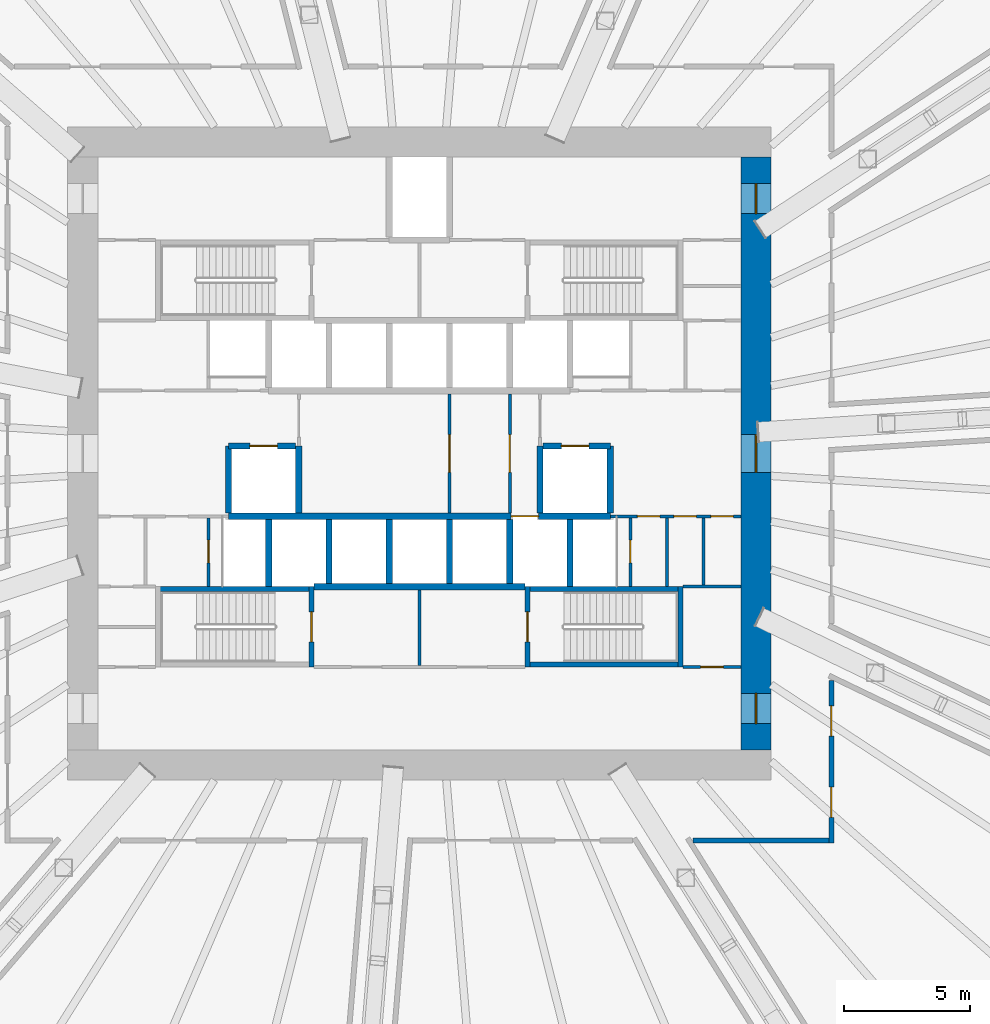
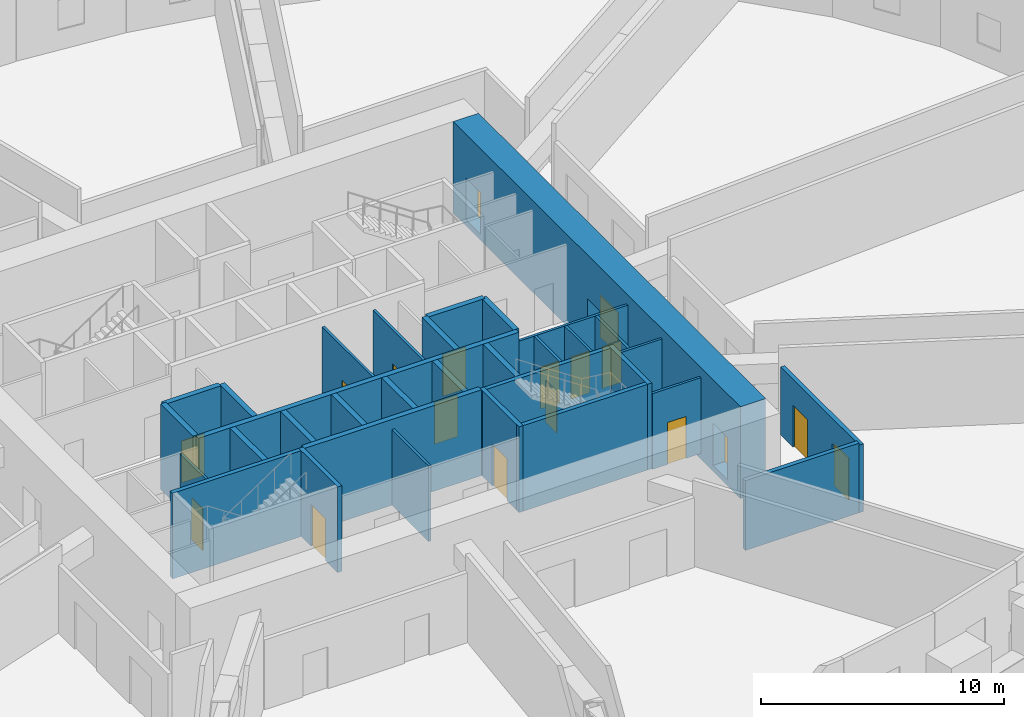
# One storey, part 9 of 14: 33 walls, 18 doors, 18 openings.
"""IFC4 building model written with IfcOpenShell, lengths in metres."""

import ifcopenshell
import ifcopenshell.guid

model = None  # the IFC model being written
_history = None  # IfcOwnerHistory: only IFC2X3 demands one
_inside = {}  # id of a spatial element -> (the spatial element, [elements in it])
_under = {}  # id of a project, library or spatial element -> (it, [spatial elements below it])
_declared = {}  # id of a project -> (the project, [libraries it declares])
_typed = {}  # id of a type object -> (the type object, [elements of that type])
_made_of = {}  # id of a material, layer set ... -> (it, [elements and type objects made of it])


def new_model(schema):
    """Start an empty IFC model of exactly this schema.

    Asked for "IFC4X3", IfcOpenShell would pick the latest addendum, in which some entities
    have other attributes; the version numbers below select the first issue.
    IFC2X3 requires an IfcOwnerHistory on every rooted entity: one is made here for all.
    """
    global model, _history
    if schema == "IFC4X3":
        model = ifcopenshell.file(schema_version=(4, 3, 0, 0))
    else:
        model = ifcopenshell.file(schema=schema)
    _inside.clear()
    _under.clear()
    _declared.clear()
    _typed.clear()
    _made_of.clear()
    _history = None
    if model.schema == "IFC2X3":
        org = make("IfcOrganization", Name="unknown")
        user = make(
            "IfcPersonAndOrganization",
            ThePerson=make("IfcPerson", FamilyName="unknown"),
            TheOrganization=org,
        )
        app = make(
            "IfcApplication",
            ApplicationDeveloper=org,
            Version="unknown",
            ApplicationFullName="unknown",
            ApplicationIdentifier="unknown",
        )
        _history = make(
            "IfcOwnerHistory",
            OwningUser=user,
            OwningApplication=app,
            ChangeAction="ADDED",
            CreationDate=0,
        )
    return model


def make(cls, **values):
    """One entity of the class cls with the attributes given. An attribute that is None is left unset."""
    return model.create_entity(
        cls, **{name: value for name, value in values.items() if value is not None}
    )


def rooted(cls, **values):
    """An entity with a GlobalId (a new one), such as an element, a storey or a relation."""
    return make(cls, GlobalId=ifcopenshell.guid.new(), OwnerHistory=_history, **values)


def si_unit(unit_type, name, prefix=None):
    """IfcSIUnit, for example si_unit("LENGTHUNIT", "METRE", prefix="MILLI")."""
    return make("IfcSIUnit", UnitType=unit_type, Prefix=prefix, Name=name)


def assignment(units):
    """IfcUnitAssignment: the units of a project."""
    return None if units is None else make("IfcUnitAssignment", Units=units)


def point(xyz):
    """IfcCartesianPoint."""
    return None if xyz is None else make("IfcCartesianPoint", Coordinates=xyz)


def direction(xyz):
    """IfcDirection."""
    return None if xyz is None else make("IfcDirection", DirectionRatios=xyz)


def frame(location, z_axis=None, x_axis=None):
    """IfcAxis2Placement3D, a coordinate frame: its origin and axes. An axis left out is left unset."""
    return make(
        "IfcAxis2Placement3D",
        Location=point(location),
        Axis=direction(z_axis),
        RefDirection=direction(x_axis),
    )


def frame_2d(location, x_axis=None):
    """IfcAxis2Placement2D, a coordinate frame in the plane: its origin and x axis."""
    return make(
        "IfcAxis2Placement2D", Location=point(location), RefDirection=direction(x_axis)
    )


def origin():
    """The frame at (0, 0, 0) with its axes left unset."""
    return frame((0.0, 0.0, 0.0))


def place(relative_to, where):
    """IfcLocalPlacement: puts the frame where relative to a parent placement (None: the world)."""
    return make(
        "IfcLocalPlacement", PlacementRelTo=relative_to, RelativePlacement=where
    )


def context(
    kind, dimensions, precision=None, world=None, true_north=None, identifier=None
):
    """IfcGeometricRepresentationContext, for example the 3D "Model" context."""
    return make(
        "IfcGeometricRepresentationContext",
        ContextIdentifier=identifier,
        ContextType=kind,
        CoordinateSpaceDimension=dimensions,
        Precision=precision,
        WorldCoordinateSystem=world,
        TrueNorth=true_north,
    )


def subcontext(parent, identifier, kind, view, scale=None):
    """IfcGeometricRepresentationSubContext, for example "Body" below "Model"."""
    return make(
        "IfcGeometricRepresentationSubContext",
        ContextIdentifier=identifier,
        ContextType=kind,
        ParentContext=parent,
        TargetScale=scale,
        TargetView=view,
    )


def project(units=None, contexts=None):
    """IfcProject with its units and contexts."""
    return rooted(
        "IfcProject",
        Name="project",
        RepresentationContexts=contexts,
        UnitsInContext=assignment(units),
    )


def spatial(cls, under=None, at=None, **own):
    """A site, building, storey or space (cls), placed at a placement, below another one or the project."""
    s = rooted(cls, ObjectPlacement=at, **own)
    if under is not None:
        _under.setdefault(under.id(), (under, []))[1].append(s)
    return s


def profile(cls, at=None, kind="AREA", **sizes):
    """A parametric profile (cls). Its sizes go by their IFC names, for example OverallWidth=200.0."""
    return make(cls, ProfileType=kind, Position=at, **sizes)


def rectangle(**sizes):
    """IfcRectangleProfileDef."""
    return profile("IfcRectangleProfileDef", **sizes)


def extrude(swept, where, along, depth):
    """IfcExtrudedAreaSolid: the profile swept, set in the frame where, extruded along a direction by depth."""
    return make(
        "IfcExtrudedAreaSolid",
        SweptArea=swept,
        Position=where,
        ExtrudedDirection=direction(along),
        Depth=depth,
    )


def shape(context_of_items, identifier, shape_type, items):
    """IfcShapeRepresentation: the items that make up one representation, for example the "Body"."""
    return make(
        "IfcShapeRepresentation",
        ContextOfItems=context_of_items,
        RepresentationIdentifier=identifier,
        RepresentationType=shape_type,
        Items=items,
    )


def source(mapping_origin, context_of_items, identifier, shape_type, items):
    """IfcRepresentationMap: a shape defined once, which mapped items show again and again."""
    return make(
        "IfcRepresentationMap",
        MappingOrigin=mapping_origin,
        MappedRepresentation=shape(context_of_items, identifier, shape_type, items),
    )


def transform(
    local_origin,
    x_axis=None,
    y_axis=None,
    z_axis=None,
    scale=None,
    scale2=None,
    scale3=None,
    uniform=True,
):
    """IfcCartesianTransformationOperator3D, or its non-uniform kind. x_axis, y_axis, z_axis: its Axis1, 2, 3."""
    if uniform:
        return make(
            "IfcCartesianTransformationOperator3D",
            Axis1=direction(x_axis),
            Axis2=direction(y_axis),
            LocalOrigin=point(local_origin),
            Scale=scale,
            Axis3=direction(z_axis),
        )
    return make(
        "IfcCartesianTransformationOperator3DnonUniform",
        Axis1=direction(x_axis),
        Axis2=direction(y_axis),
        LocalOrigin=point(local_origin),
        Scale=scale,
        Axis3=direction(z_axis),
        Scale2=scale2,
        Scale3=scale3,
    )


def mapped(mapping_source, mapping_target):
    """IfcMappedItem: shows the shape of a source again, moved by a transform."""
    return make(
        "IfcMappedItem", MappingSource=mapping_source, MappingTarget=mapping_target
    )


def material(Name=None, Category=None):
    """IfcMaterial."""
    return make("IfcMaterial", Name=Name, Category=Category)


def layer(
    of_material, thickness, ventilated=None, Name=None, Category=None, Priority=None
):
    """IfcMaterialLayer: one layer of a wall or slab, of a material (None: an air gap)."""
    return make(
        "IfcMaterialLayer",
        Material=of_material,
        LayerThickness=thickness,
        IsVentilated=ventilated,
        Name=Name,
        Category=Category,
        Priority=Priority,
    )


def layer_set(layers, Name=None):
    """IfcMaterialLayerSet."""
    return make("IfcMaterialLayerSet", MaterialLayers=layers, LayerSetName=Name)


def made_of(thing, what):
    """Note that an element or type object is made of a material, layer set ...; save() writes the relation."""
    if what is not None:
        _made_of.setdefault(what.id(), (what, []))[1].append(thing)
    return thing


def type_object(cls, material=None, **own):
    """A type object (cls), such as IfcWallType, which elements share."""
    return made_of(rooted(cls, **own), material)


def element(
    cls,
    number,
    at=None,
    inside=None,
    cuts=None,
    type_object=None,
    material=None,
    context=None,
    identifier="Body",
    shape_type=None,
    held_by="IfcProductDefinitionShape",
    body=None,
    shapes=None,
    **own,
):
    """One element of the class cls, such as IfcWall. Its Tag is "e" and its number.

    at: its placement. inside: the storey or other place that contains it. cuts: it is an
    opening in that element (IfcRelVoidsElement). A single representation is given by context,
    identifier, shape_type and body (its items); several are given by shapes. held_by: the class
    of the entity that holds the representations. save() writes the other relations.
    """
    e = rooted(cls, Tag="e%d" % number, ObjectPlacement=at, **own)
    if body is not None:
        shapes = [shape(context, identifier, shape_type, body)]
    if shapes is not None:
        e.Representation = make(held_by, Representations=shapes)
    if inside is not None:
        _inside.setdefault(inside.id(), (inside, []))[1].append(e)
    if cuts is not None:
        rooted(
            "IfcRelVoidsElement", RelatingBuildingElement=cuts, RelatedOpeningElement=e
        )
    if type_object is not None:
        _typed.setdefault(type_object.id(), (type_object, []))[1].append(e)
    return made_of(e, material)


def fill(opening, filler):
    """IfcRelFillsElement: the door or window that sits in an opening."""
    return rooted(
        "IfcRelFillsElement",
        RelatingOpeningElement=opening,
        RelatedBuildingElement=filler,
    )


def aggregate(whole, parts):
    """IfcRelAggregates: a whole, such as a stair, and the parts it consists of."""
    return rooted("IfcRelAggregates", RelatingObject=whole, RelatedObjects=parts)


def save(model, path):
    """Write the relations noted so far, then the file.

    IfcRelAggregates (storeys below a building ...), IfcRelContainedInSpatialStructure (elements
    in a storey), IfcRelDefinesByType, IfcRelAssociatesMaterial and IfcRelDeclares: one each for
    every whole, place, type object, material and project.
    """
    for whole, parts in _under.values():
        aggregate(whole, parts)
    for where, things in _inside.values():
        rooted(
            "IfcRelContainedInSpatialStructure",
            RelatedElements=things,
            RelatingStructure=where,
        )
    for kind, things in _typed.values():
        rooted("IfcRelDefinesByType", RelatedObjects=things, RelatingType=kind)
    for what, things in _made_of.values():
        rooted("IfcRelAssociatesMaterial", RelatedObjects=things, RelatingMaterial=what)
    for by, libraries in _declared.values():
        rooted("IfcRelDeclares", RelatingContext=by, RelatedDefinitions=libraries)
    model.write(path)


model = new_model("IFC4")

# Units and contexts
model_context = context("Model", 3, precision=1e-05, world=origin(), true_north=direction((0.0, 1.0)))
body_context = subcontext(model_context, "Body", "Model", "MODEL_VIEW")
ifc_project = project(units=[si_unit("LENGTHUNIT", "METRE"), si_unit("AREAUNIT", "SQUARE_METRE"), si_unit("VOLUMEUNIT", "CUBIC_METRE"), si_unit("PLANEANGLEUNIT", "RADIAN"), si_unit("MASSUNIT", "GRAM", prefix="KILO")], contexts=[model_context])

# Site, building, storey
site_placement = place(None, origin())
site = spatial("IfcSite", under=ifc_project, at=site_placement, CompositionType="ELEMENT")
building_placement = place(site_placement, origin())
building = spatial("IfcBuilding", under=site, at=building_placement, Name="Embergate Tower", CompositionType="ELEMENT")
storey_placement = place(building_placement, frame((0.0, 0.0, 101.0)))
storey = spatial("IfcBuildingStorey", under=building, at=storey_placement, Name="L21", CompositionType="ELEMENT", Elevation=101.0)

# Wall, openings, doors
ifc_material_1 = material(Name="Concrete C80", Category="concrete")
ifc_layer_1 = layer(ifc_material_1, 1.199951171875)
ifc_layer_set_1 = layer_set([ifc_layer_1], Name="Concrete C80")
wall_type_1 = type_object("IfcWallType", Name="Core outer wall C80 1200", PredefinedType="SHEAR", material=ifc_layer_set_1)
shared_shape_1 = source(origin(), body_context, "Body", "SweptSolid", [
    extrude(rectangle(XDim=23.60009765625, YDim=1.199951171875, at=frame_2d((11.800048828125, 0.0))), origin(), (0.0, 0.0, 1.0), 4.60009765625),
])
wall_1_placement = place(storey_placement, frame((13.39990234375, -11.800048828125, -0.300048828125), z_axis=(0.0, 0.0, 1.0), x_axis=(0.0, 1.0, 0.0)))
wall_1 = element("IfcWall", 1, at=wall_1_placement, inside=storey, type_object=wall_type_1, Name="CW-L21-E", PredefinedType="SHEAR", context=body_context, shape_type="MappedRepresentation", body=[
    mapped(shared_shape_1, transform((0.0, 0.0, 0.0))),
])
shared_shape_2 = source(origin(), body_context, "Body", "SweptSolid", [
    extrude(rectangle(XDim=1.199951171875, YDim=2.10009765625, at=frame_2d((0.60009765625, 1.050048828125))), frame((0.0, 0.60986328125, 0.0), z_axis=(0.0, -1.0, 0.0), x_axis=(1.0, 0.0, 0.0)), (0.0, 0.0, 1.0), 1.219970703125),
])
opening_1_placement = place(wall_1_placement, frame((21.35009765625, 0.0, 0.300048828125)))
opening_1 = element("IfcOpeningElement", 2, at=opening_1_placement, cuts=wall_1, Name="Opening IF-1", PredefinedType="OPENING", context=body_context, shape_type="MappedRepresentation", body=[
    mapped(shared_shape_2, transform((0.0, 0.0, 0.0))),
])
opening_2_placement = place(wall_1_placement, frame((1.050048828125, 0.0, 0.300048828125)))
opening_2 = element("IfcOpeningElement", 3, at=opening_2_placement, cuts=wall_1, Name="Opening IF-1", PredefinedType="OPENING", context=body_context, shape_type="MappedRepresentation", body=[
    mapped(shared_shape_2, transform((0.0, 0.0, 0.0))),
])
shared_shape_3 = source(origin(), body_context, "Body", "SweptSolid", [
    extrude(rectangle(XDim=1.5, YDim=2.10009765625, at=frame_2d((0.75, 1.050048828125))), frame((0.0, 0.60986328125, 0.0), z_axis=(0.0, -1.0, 0.0), x_axis=(1.0, 0.0, 0.0)), (0.0, 0.0, 1.0), 1.219970703125),
])
opening_3_placement = place(wall_1_placement, frame((11.050048828125, 0.0, 0.300048828125)))
opening_3 = element("IfcOpeningElement", 4, at=opening_3_placement, cuts=wall_1, Name="Opening IF-3", PredefinedType="OPENING", context=body_context, shape_type="MappedRepresentation", body=[
    mapped(shared_shape_3, transform((0.0, 0.0, 0.0))),
])
ifc_material_2 = material(Name="Escape fire door 1200")
door_type_1 = type_object("IfcDoorType", Name="Escape fire door 1200", OperationType="SINGLE_SWING_LEFT", PredefinedType="DOOR", material=ifc_material_2)
shared_shape_4 = source(origin(), body_context, "Body", "SweptSolid", [
    extrude(rectangle(XDim=1.199951171875, YDim=2.10009765625, at=frame_2d((0.60009765625, 1.050048828125))), frame((0.0, 0.02490234375, 0.0), z_axis=(0.0, -1.0, 0.0), x_axis=(1.0, 0.0, 0.0)), (0.0, 0.0, 1.0), 0.050048828125),
])
door_1_placement = place(opening_1_placement, origin())
door_1 = element("IfcDoor", 5, at=door_1_placement, inside=storey, type_object=door_type_1, Name="IF-1 door", OperationType="SINGLE_SWING_LEFT", OverallHeight=2.10009765625, OverallWidth=1.199951171875, PredefinedType="DOOR", context=body_context, shape_type="MappedRepresentation", body=[
    mapped(shared_shape_4, transform((0.0, 0.0, 0.0))),
])
fill(opening_1, door_1)
door_2_placement = place(opening_2_placement, origin())
door_2 = element("IfcDoor", 6, at=door_2_placement, inside=storey, type_object=door_type_1, Name="IF-1 door", OperationType="SINGLE_SWING_RIGHT", OverallHeight=2.10009765625, OverallWidth=1.199951171875, PredefinedType="DOOR", context=body_context, shape_type="MappedRepresentation", body=[
    mapped(shared_shape_4, transform((0.0, 0.0, 0.0))),
])
fill(opening_2, door_2)
ifc_material_3 = material(Name="Lobby fire door pair 1500")
door_type_2 = type_object("IfcDoorType", Name="Lobby fire door pair 1500", OperationType="DOUBLE_DOOR_SINGLE_SWING", PredefinedType="DOOR", material=ifc_material_3)
shared_shape_5 = source(origin(), body_context, "Body", "SweptSolid", [
    extrude(rectangle(XDim=1.5, YDim=2.10009765625, at=frame_2d((0.75, 1.050048828125))), frame((0.0, 0.02490234375, 0.0), z_axis=(0.0, -1.0, 0.0), x_axis=(1.0, 0.0, 0.0)), (0.0, 0.0, 1.0), 0.050048828125),
])
door_3_placement = place(opening_3_placement, origin())
door_3 = element("IfcDoor", 7, at=door_3_placement, inside=storey, type_object=door_type_2, Name="IF-3 door", OperationType="DOUBLE_DOOR_SINGLE_SWING", OverallHeight=2.10009765625, OverallWidth=1.5, PredefinedType="DOOR", context=body_context, shape_type="MappedRepresentation", body=[
    mapped(shared_shape_5, transform((0.0, 0.0, 0.0))),
])
fill(opening_3, door_3)

# Walls
ifc_material_4 = material(Name="Concrete C50", Category="concrete")
ifc_layer_2 = layer(ifc_material_4, 0.25)
ifc_layer_set_2 = layer_set([ifc_layer_2], Name="Concrete C50")
wall_type_2 = type_object("IfcWallType", Name="Hoistway wall reinforced concrete 250", PredefinedType="SHEAR", material=ifc_layer_set_2)
shared_shape_6 = source(origin(), body_context, "Body", "SweptSolid", [
    extrude(rectangle(XDim=2.675048828125, YDim=0.25, at=frame_2d((1.33740234375, 0.0))), origin(), (0.0, 0.0, 1.0), 4.300048828125),
])
for number, where, z_axis, x_axis, name in (
    (8, (-6.0, -5.300048828125, 0.0), (0.0, 0.0, 1.0), (0.0, 1.0, 0.0), "HW-1 wall"),
    (9, (6.0, -5.300048828125, 0.0), (0.0, 0.0, 1.0), (0.0, 1.0, 0.0), "HW-1 wall"),
    (10, (-4.800048828125, 0.300048828125, 0.0), (0.0, 0.0, 1.0), (0.0, -1.0, 0.0), "HW-1 wall"),
    (11, (4.800048828125, -2.375, 0.0), (0.0, 0.0, 1.0), (0.0, 1.0, 0.0), "HW-1 wall"),
):
    element("IfcWall", number, at=place(storey_placement, frame(where, z_axis=z_axis, x_axis=x_axis)), inside=storey, type_object=wall_type_2, Name=name, PredefinedType="SHEAR", context=body_context, shape_type="MappedRepresentation", body=[
        mapped(shared_shape_6, transform((0.0, 0.0, 0.0))),
    ])

# Wall, opening, door
wall_2_placement = place(storey_placement, frame((-4.925048828125, 0.300048828125, 0.0), z_axis=(0.0, 0.0, 1.0), x_axis=(-1.0, 0.0, 0.0)))
wall_2 = element("IfcWall", 12, at=wall_2_placement, inside=storey, type_object=wall_type_2, Name="HW-1 wall", PredefinedType="SHEAR", context=body_context, shape_type="MappedRepresentation", body=[
    mapped(shared_shape_6, transform((0.0, 0.0, 0.0))),
])
shared_shape_7 = source(origin(), body_context, "Body", "SweptSolid", [
    extrude(rectangle(XDim=1.10009765625, YDim=2.10009765625, at=frame_2d((0.550048828125, 1.050048828125))), frame((0.0, 0.135009765625, 0.0), z_axis=(0.0, -1.0, 0.0), x_axis=(1.0, 0.0, 0.0)), (0.0, 0.0, 1.0), 0.27001953125),
])
opening_4_placement = place(wall_2_placement, frame((0.72509765625, 0.0, 0.0)))
opening_4 = element("IfcOpeningElement", 13, at=opening_4_placement, cuts=wall_2, Name="Opening LD", PredefinedType="OPENING", context=body_context, shape_type="MappedRepresentation", body=[
    mapped(shared_shape_7, transform((0.0, 0.0, 0.0))),
])
ifc_material_5 = material(Name="Landing door sliding 1100")
door_type_3 = type_object("IfcDoorType", Name="Landing door sliding 1100", OperationType="SLIDING_TO_LEFT", PredefinedType="DOOR", material=ifc_material_5)
shared_shape_8 = source(origin(), body_context, "Body", "SweptSolid", [
    extrude(rectangle(XDim=1.10009765625, YDim=2.10009765625, at=frame_2d((0.550048828125, 1.050048828125))), frame((0.0, 0.02490234375, 0.0), z_axis=(0.0, -1.0, 0.0), x_axis=(1.0, 0.0, 0.0)), (0.0, 0.0, 1.0), 0.050048828125),
])
door_4_placement = place(opening_4_placement, origin())
door_4 = element("IfcDoor", 14, at=door_4_placement, inside=storey, type_object=door_type_3, Name="LD door", OperationType="SLIDING_TO_RIGHT", OverallHeight=2.10009765625, OverallWidth=1.10009765625, PredefinedType="DOOR", context=body_context, shape_type="MappedRepresentation", body=[
    mapped(shared_shape_8, transform((0.0, 0.0, 0.0))),
])
fill(opening_4, door_4)

# Wall
wall_3_placement = place(storey_placement, frame((-7.60009765625, 0.300048828125, 0.0), z_axis=(0.0, 0.0, 1.0), x_axis=(0.0, -1.0, 0.0)))
element("IfcWall", 15, at=wall_3_placement, inside=storey, type_object=wall_type_2, Name="HW-1 wall", PredefinedType="SHEAR", context=body_context, shape_type="MappedRepresentation", body=[
    mapped(shared_shape_6, transform((0.0, 0.0, 0.0))),
])

# Wall, opening, door
wall_4_placement = place(storey_placement, frame((7.60009765625, 0.300048828125, 0.0), z_axis=(0.0, 0.0, 1.0), x_axis=(-1.0, 0.0, 0.0)))
wall_4 = element("IfcWall", 16, at=wall_4_placement, inside=storey, type_object=wall_type_2, Name="HW-1 wall", PredefinedType="SHEAR", context=body_context, shape_type="MappedRepresentation", body=[
    mapped(shared_shape_6, transform((0.0, 0.0, 0.0))),
])
opening_5_placement = place(wall_4_placement, frame((0.85009765625, 0.0, 0.0)))
opening_5 = element("IfcOpeningElement", 17, at=opening_5_placement, cuts=wall_4, Name="Opening LD", PredefinedType="OPENING", context=body_context, shape_type="MappedRepresentation", body=[
    mapped(shared_shape_7, transform((0.0, 0.0, 0.0))),
])
door_5_placement = place(opening_5_placement, origin())
door_5 = element("IfcDoor", 18, at=door_5_placement, inside=storey, type_object=door_type_3, Name="LD door", OperationType="SLIDING_TO_RIGHT", OverallHeight=2.10009765625, OverallWidth=1.10009765625, PredefinedType="DOOR", context=body_context, shape_type="MappedRepresentation", body=[
    mapped(shared_shape_8, transform((0.0, 0.0, 0.0))),
])
fill(opening_5, door_5)

# Walls
wall_5_placement = place(storey_placement, frame((7.60009765625, -2.375, 0.0), z_axis=(0.0, 0.0, 1.0), x_axis=(0.0, 1.0, 0.0)))
element("IfcWall", 19, at=wall_5_placement, inside=storey, type_object=wall_type_2, Name="HW-1 wall", PredefinedType="SHEAR", context=body_context, shape_type="MappedRepresentation", body=[
    mapped(shared_shape_6, transform((0.0, 0.0, 0.0))),
])
ifc_layer_3 = layer(ifc_material_4, 0.199951171875)
ifc_layer_set_3 = layer_set([ifc_layer_3], Name="Concrete C50")
wall_type_3 = type_object("IfcWallType", Name="Stair enclosure wall reinforced concrete 250", PredefinedType="SHEAR", material=ifc_layer_set_3)
shared_shape_9 = source(origin(), body_context, "Body", "SweptSolid", [
    extrude(rectangle(XDim=6.300048828125, YDim=0.199951171875, at=frame_2d((3.14990234375, 0.0))), origin(), (0.0, 0.0, 1.0), 4.300048828125),
])
for number, where, z_axis, x_axis, name in (
    (20, (-10.5, -5.39990234375, 0.0), (0.0, 0.0, 1.0), (1.0, 0.0, 0.0), "SE-1 wall"),
    (21, (4.199951171875, -5.39990234375, 0.0), (0.0, 0.0, 1.0), (1.0, 0.0, 0.0), "SE-1 wall"),
    (22, (4.199951171875, -8.39990234375, 0.0), (0.0, 0.0, 1.0), (1.0, 0.0, 0.0), "SE-1 wall"),
):
    element("IfcWall", number, at=place(storey_placement, frame(where, z_axis=z_axis, x_axis=x_axis)), inside=storey, type_object=wall_type_3, Name=name, PredefinedType="SHEAR", context=body_context, shape_type="MappedRepresentation", body=[
        mapped(shared_shape_9, transform((0.0, 0.0, 0.0))),
    ])
shared_shape_10 = source(origin(), body_context, "Body", "SweptSolid", [
    extrude(rectangle(XDim=2.550048828125, YDim=0.25, at=frame_2d((1.27490234375, 0.0))), origin(), (0.0, 0.0, 1.0), 4.300048828125),
])
for number, where, z_axis, x_axis, name in (
    (23, (-3.60009765625, -5.175048828125, 0.0), (0.0, 0.0, 1.0), (0.0, 1.0, 0.0), "HW-1 wall"),
    (24, (-1.199951171875, -5.175048828125, 0.0), (0.0, 0.0, 1.0), (0.0, 1.0, 0.0), "HW-1 wall"),
    (25, (1.199951171875, -5.175048828125, 0.0), (0.0, 0.0, 1.0), (0.0, 1.0, 0.0), "HW-1 wall"),
    (26, (3.60009765625, -5.175048828125, 0.0), (0.0, 0.0, 1.0), (0.0, 1.0, 0.0), "HW-1 wall"),
):
    element("IfcWall", number, at=place(storey_placement, frame(where, z_axis=z_axis, x_axis=x_axis)), inside=storey, type_object=wall_type_2, Name=name, PredefinedType="SHEAR", context=body_context, shape_type="MappedRepresentation", body=[
        mapped(shared_shape_10, transform((0.0, 0.0, 0.0))),
    ])
shared_shape_11 = source(origin(), body_context, "Body", "SweptSolid", [
    extrude(rectangle(XDim=8.39990234375, YDim=0.25, at=frame_2d((4.199951171875, 0.0))), origin(), (0.0, 0.0, 1.0), 4.300048828125),
])
wall_6_placement = place(storey_placement, frame((-4.199951171875, -5.300048828125, 0.0), z_axis=(0.0, 0.0, 1.0), x_axis=(1.0, 0.0, 0.0)))
element("IfcWall", 27, at=wall_6_placement, inside=storey, type_object=wall_type_2, Name="HW-1 wall", PredefinedType="SHEAR", context=body_context, shape_type="MappedRepresentation", body=[
    mapped(shared_shape_11, transform((0.0, 0.0, 0.0))),
])

# Wall, opening, door
shared_shape_12 = source(origin(), body_context, "Body", "SweptSolid", [
    extrude(rectangle(XDim=15.2001953125, YDim=0.25, at=frame_2d((7.60009765625, 0.0))), origin(), (0.0, 0.0, 1.0), 4.300048828125),
])
wall_7_placement = place(storey_placement, frame((7.60009765625, -2.5, 0.0), z_axis=(0.0, 0.0, 1.0), x_axis=(-1.0, 0.0, 0.0)))
wall_7 = element("IfcWall", 28, at=wall_7_placement, inside=storey, type_object=wall_type_2, Name="HW-1 wall", PredefinedType="SHEAR", context=body_context, shape_type="MappedRepresentation", body=[
    mapped(shared_shape_12, transform((0.0, 0.0, 0.0))),
])
opening_6_placement = place(wall_7_placement, frame((2.85009765625, 0.0, 0.0)))
opening_6 = element("IfcOpeningElement", 29, at=opening_6_placement, cuts=wall_7, Name="Opening LD", PredefinedType="OPENING", context=body_context, shape_type="MappedRepresentation", body=[
    mapped(shared_shape_7, transform((0.0, 0.0, 0.0))),
])
door_6_placement = place(opening_6_placement, origin())
door_6 = element("IfcDoor", 30, at=door_6_placement, inside=storey, type_object=door_type_3, Name="LD door", OperationType="SLIDING_TO_RIGHT", OverallHeight=2.10009765625, OverallWidth=1.10009765625, PredefinedType="DOOR", context=body_context, shape_type="MappedRepresentation", body=[
    mapped(shared_shape_8, transform((0.0, 0.0, 0.0))),
])
fill(opening_6, door_6)

shared_shape_13 = source(origin(), body_context, "Body", "SweptSolid", [
    extrude(rectangle(XDim=3.199951171875, YDim=0.199951171875, at=frame_2d((1.60009765625, 0.0))), origin(), (0.0, 0.0, 1.0), 4.300048828125),
])
wall_8_placement = place(storey_placement, frame((-4.300048828125, -8.5, 0.0), z_axis=(0.0, 0.0, 1.0), x_axis=(0.0, 1.0, 0.0)))
wall_8 = element("IfcWall", 31, at=wall_8_placement, inside=storey, type_object=wall_type_3, Name="SE-1 wall", PredefinedType="SHEAR", context=body_context, shape_type="MappedRepresentation", body=[
    mapped(shared_shape_13, transform((0.0, 0.0, 0.0))),
])
shared_shape_14 = source(origin(), body_context, "Body", "SweptSolid", [
    extrude(rectangle(XDim=1.199951171875, YDim=2.10009765625, at=frame_2d((0.60009765625, 1.050048828125))), frame((0.0, 0.10986328125, 0.0), z_axis=(0.0, -1.0, 0.0), x_axis=(1.0, 0.0, 0.0)), (0.0, 0.0, 1.0), 0.219970703125),
])
opening_7_placement = place(wall_8_placement, frame((1.0, 0.0, 0.0)))
opening_7 = element("IfcOpeningElement", 32, at=opening_7_placement, cuts=wall_8, Name="Opening IF-2", PredefinedType="OPENING", context=body_context, shape_type="MappedRepresentation", body=[
    mapped(shared_shape_14, transform((0.0, 0.0, 0.0))),
])
ifc_material_6 = material(Name="Stair enclosure door 1200")
door_type_4 = type_object("IfcDoorType", Name="Stair enclosure door 1200", OperationType="SINGLE_SWING_LEFT", PredefinedType="DOOR", material=ifc_material_6)
door_7_placement = place(opening_7_placement, origin())
door_7 = element("IfcDoor", 33, at=door_7_placement, inside=storey, type_object=door_type_4, Name="IF-2 door", OperationType="SINGLE_SWING_RIGHT", OverallHeight=2.10009765625, OverallWidth=1.199951171875, PredefinedType="DOOR", context=body_context, shape_type="MappedRepresentation", body=[
    mapped(shared_shape_4, transform((0.0, 0.0, 0.0))),
])
fill(opening_7, door_7)

wall_9_placement = place(storey_placement, frame((4.300048828125, -5.300048828125, 0.0), z_axis=(0.0, 0.0, 1.0), x_axis=(0.0, -1.0, 0.0)))
wall_9 = element("IfcWall", 34, at=wall_9_placement, inside=storey, type_object=wall_type_3, Name="SE-1 wall", PredefinedType="SHEAR", context=body_context, shape_type="MappedRepresentation", body=[
    mapped(shared_shape_13, transform((0.0, 0.0, 0.0))),
])
opening_8_placement = place(wall_9_placement, frame((1.0, 0.0, 0.0)))
opening_8 = element("IfcOpeningElement", 35, at=opening_8_placement, cuts=wall_9, Name="Opening IF-2", PredefinedType="OPENING", context=body_context, shape_type="MappedRepresentation", body=[
    mapped(shared_shape_14, transform((0.0, 0.0, 0.0))),
])
door_8_placement = place(opening_8_placement, origin())
door_8 = element("IfcDoor", 36, at=door_8_placement, inside=storey, type_object=door_type_4, Name="IF-2 door", OperationType="SINGLE_SWING_LEFT", OverallHeight=2.10009765625, OverallWidth=1.199951171875, PredefinedType="DOOR", context=body_context, shape_type="MappedRepresentation", body=[
    mapped(shared_shape_4, transform((0.0, 0.0, 0.0))),
])
fill(opening_8, door_8)

# Wall
wall_10_placement = place(storey_placement, frame((10.39990234375, -8.5, 0.0), z_axis=(0.0, 0.0, 1.0), x_axis=(0.0, 1.0, 0.0)))
element("IfcWall", 37, at=wall_10_placement, inside=storey, type_object=wall_type_3, Name="SE-1 wall", PredefinedType="SHEAR", context=body_context, shape_type="MappedRepresentation", body=[
    mapped(shared_shape_13, transform((0.0, 0.0, 0.0))),
])

# Wall, opening, door
ifc_material_7 = material(Name="Core partition blockwork 120")
ifc_layer_4 = layer(ifc_material_7, 0.1201171875)
ifc_layer_set_4 = layer_set([ifc_layer_4], Name="Core partition blockwork 120")
wall_type_4 = type_object("IfcWallType", Name="Core partition blockwork 120", PredefinedType="PARTITIONING", material=ifc_layer_set_4)
shared_shape_15 = source(origin(), body_context, "Body", "SweptSolid", [
    extrude(rectangle(XDim=2.739990234375, YDim=0.1201171875, at=frame_2d((1.3701171875, 0.0))), origin(), (0.0, 0.0, 1.0), 3.800048828125),
])
wall_11_placement = place(storey_placement, frame((-8.39990234375, -2.56005859375, 0.0), z_axis=(0.0, 0.0, 1.0), x_axis=(0.0, -1.0, 0.0)))
wall_11 = element("IfcWall", 38, at=wall_11_placement, inside=storey, type_object=wall_type_4, Name="IP-3 wall", PredefinedType="PARTITIONING", context=body_context, shape_type="MappedRepresentation", body=[
    mapped(shared_shape_15, transform((0.0, 0.0, 0.0))),
])
shared_shape_16 = source(origin(), body_context, "Body", "SweptSolid", [
    extrude(rectangle(XDim=0.89990234375, YDim=2.10009765625, at=frame_2d((0.449951171875, 1.050048828125))), frame((0.0, 0.070068359375, 0.0), z_axis=(0.0, -1.0, 0.0), x_axis=(1.0, 0.0, 0.0)), (0.0, 0.0, 1.0), 0.14013671875),
])
opening_9_placement = place(wall_11_placement, frame((0.889892578125, 0.0, 0.0)))
opening_9 = element("IfcOpeningElement", 39, at=opening_9_placement, cuts=wall_11, Name="Opening ID-1", PredefinedType="OPENING", context=body_context, shape_type="MappedRepresentation", body=[
    mapped(shared_shape_16, transform((0.0, 0.0, 0.0))),
])
ifc_material_8 = material(Name="Interior door 900")
door_type_5 = type_object("IfcDoorType", Name="Interior door 900", OperationType="SINGLE_SWING_LEFT", PredefinedType="DOOR", material=ifc_material_8)
shared_shape_17 = source(origin(), body_context, "Body", "SweptSolid", [
    extrude(rectangle(XDim=0.89990234375, YDim=2.10009765625, at=frame_2d((0.449951171875, 1.050048828125))), frame((0.0, 0.02490234375, 0.0), z_axis=(0.0, -1.0, 0.0), x_axis=(1.0, 0.0, 0.0)), (0.0, 0.0, 1.0), 0.050048828125),
])
door_9_placement = place(opening_9_placement, origin())
door_9 = element("IfcDoor", 40, at=door_9_placement, inside=storey, type_object=door_type_5, Name="ID-1 door", OperationType="SINGLE_SWING_RIGHT", OverallHeight=2.10009765625, OverallWidth=0.89990234375, PredefinedType="DOOR", context=body_context, shape_type="MappedRepresentation", body=[
    mapped(shared_shape_17, transform((0.0, 0.0, 0.0))),
])
fill(opening_9, door_9)

wall_12_placement = place(storey_placement, frame((8.39990234375, -5.300048828125, 0.0), z_axis=(0.0, 0.0, 1.0), x_axis=(0.0, 1.0, 0.0)))
wall_12 = element("IfcWall", 41, at=wall_12_placement, inside=storey, type_object=wall_type_4, Name="IP-3 wall", PredefinedType="PARTITIONING", context=body_context, shape_type="MappedRepresentation", body=[
    mapped(shared_shape_15, transform((0.0, 0.0, 0.0))),
])
opening_10_placement = place(wall_12_placement, frame((0.949951171875, 0.0, 0.0)))
opening_10 = element("IfcOpeningElement", 42, at=opening_10_placement, cuts=wall_12, Name="Opening ID-1", PredefinedType="OPENING", context=body_context, shape_type="MappedRepresentation", body=[
    mapped(shared_shape_16, transform((0.0, 0.0, 0.0))),
])
door_10_placement = place(opening_10_placement, origin())
door_10 = element("IfcDoor", 43, at=door_10_placement, inside=storey, type_object=door_type_5, Name="ID-1 door", OperationType="SINGLE_SWING_RIGHT", OverallHeight=2.10009765625, OverallWidth=0.89990234375, PredefinedType="DOOR", context=body_context, shape_type="MappedRepresentation", body=[
    mapped(shared_shape_17, transform((0.0, 0.0, 0.0))),
])
fill(opening_10, door_10)

# Wall
wall_13_placement = place(storey_placement, frame((9.85205078125, -5.300048828125, 0.0), z_axis=(0.0, 0.0, 1.0), x_axis=(0.0, 1.0, 0.0)))
element("IfcWall", 44, at=wall_13_placement, inside=storey, type_object=wall_type_4, Name="IP-3 wall", PredefinedType="PARTITIONING", context=body_context, shape_type="MappedRepresentation", body=[
    mapped(shared_shape_15, transform((0.0, 0.0, 0.0))),
])

# Wall, openings, doors
shared_shape_18 = source(origin(), body_context, "Body", "SweptSolid", [
    extrude(rectangle(XDim=5.199951171875, YDim=0.1201171875, at=frame_2d((2.60009765625, 0.0))), origin(), (0.0, 0.0, 1.0), 3.800048828125),
])
wall_14_placement = place(storey_placement, frame((12.800048828125, -2.5, 0.0), z_axis=(0.0, 0.0, 1.0), x_axis=(-1.0, 0.0, 0.0)))
wall_14 = element("IfcWall", 45, at=wall_14_placement, inside=storey, type_object=wall_type_4, Name="IP-3 wall", PredefinedType="PARTITIONING", context=body_context, shape_type="MappedRepresentation", body=[
    mapped(shared_shape_18, transform((0.0, 0.0, 0.0))),
])
opening_11_placement = place(wall_14_placement, frame((3.22412109375, 0.0, 0.0)))
opening_11 = element("IfcOpeningElement", 46, at=opening_11_placement, cuts=wall_14, Name="Opening ID-1", PredefinedType="OPENING", context=body_context, shape_type="MappedRepresentation", body=[
    mapped(shared_shape_16, transform((0.0, 0.0, 0.0))),
])
opening_12_placement = place(wall_14_placement, frame((1.77197265625, 0.0, 0.0)))
opening_12 = element("IfcOpeningElement", 47, at=opening_12_placement, cuts=wall_14, Name="Opening ID-1", PredefinedType="OPENING", context=body_context, shape_type="MappedRepresentation", body=[
    mapped(shared_shape_16, transform((0.0, 0.0, 0.0))),
])
opening_13_placement = place(wall_14_placement, frame((0.298095703125, 0.0, 0.0)))
opening_13 = element("IfcOpeningElement", 48, at=opening_13_placement, cuts=wall_14, Name="Opening ID-1", PredefinedType="OPENING", context=body_context, shape_type="MappedRepresentation", body=[
    mapped(shared_shape_16, transform((0.0, 0.0, 0.0))),
])
door_11_placement = place(opening_11_placement, origin())
door_11 = element("IfcDoor", 49, at=door_11_placement, inside=storey, type_object=door_type_5, Name="ID-1 door", OperationType="SINGLE_SWING_RIGHT", OverallHeight=2.10009765625, OverallWidth=0.89990234375, PredefinedType="DOOR", context=body_context, shape_type="MappedRepresentation", body=[
    mapped(shared_shape_17, transform((0.0, 0.0, 0.0))),
])
fill(opening_11, door_11)
door_12_placement = place(opening_12_placement, origin())
door_12 = element("IfcDoor", 50, at=door_12_placement, inside=storey, type_object=door_type_5, Name="ID-1 door", OperationType="SINGLE_SWING_LEFT", OverallHeight=2.10009765625, OverallWidth=0.89990234375, PredefinedType="DOOR", context=body_context, shape_type="MappedRepresentation", body=[
    mapped(shared_shape_17, transform((0.0, 0.0, 0.0))),
])
fill(opening_12, door_12)
door_13_placement = place(opening_13_placement, origin())
door_13 = element("IfcDoor", 51, at=door_13_placement, inside=storey, type_object=door_type_5, Name="ID-1 door", OperationType="SINGLE_SWING_LEFT", OverallHeight=2.10009765625, OverallWidth=0.89990234375, PredefinedType="DOOR", context=body_context, shape_type="MappedRepresentation", body=[
    mapped(shared_shape_17, transform((0.0, 0.0, 0.0))),
])
fill(opening_13, door_13)

# Wall, opening, door
shared_shape_19 = source(origin(), body_context, "Body", "SweptSolid", [
    extrude(rectangle(XDim=4.75, YDim=0.1201171875, at=frame_2d((2.375, 0.0))), origin(), (0.0, 0.0, 1.0), 3.800048828125),
])
wall_15_placement = place(storey_placement, frame((1.199951171875, -2.375, 0.0), z_axis=(0.0, 0.0, 1.0), x_axis=(0.0, 1.0, 0.0)))
wall_15 = element("IfcWall", 52, at=wall_15_placement, inside=storey, type_object=wall_type_4, Name="IP-3 wall", PredefinedType="PARTITIONING", context=body_context, shape_type="MappedRepresentation", body=[
    mapped(shared_shape_19, transform((0.0, 0.0, 0.0))),
])
shared_shape_20 = source(origin(), body_context, "Body", "SweptSolid", [
    extrude(rectangle(XDim=1.5, YDim=2.10009765625, at=frame_2d((0.75, 1.050048828125))), frame((0.0, 0.070068359375, 0.0), z_axis=(0.0, -1.0, 0.0), x_axis=(1.0, 0.0, 0.0)), (0.0, 0.0, 1.0), 0.14013671875),
])
opening_14_placement = place(wall_15_placement, frame((1.625, 0.0, 0.0)))
opening_14 = element("IfcOpeningElement", 53, at=opening_14_placement, cuts=wall_15, Name="Opening IF-3", PredefinedType="OPENING", context=body_context, shape_type="MappedRepresentation", body=[
    mapped(shared_shape_20, transform((0.0, 0.0, 0.0))),
])
door_14_placement = place(opening_14_placement, origin())
door_14 = element("IfcDoor", 54, at=door_14_placement, inside=storey, type_object=door_type_2, Name="IF-3 door", OperationType="DOUBLE_DOOR_SINGLE_SWING", OverallHeight=2.10009765625, OverallWidth=1.5, PredefinedType="DOOR", context=body_context, shape_type="MappedRepresentation", body=[
    mapped(shared_shape_5, transform((0.0, 0.0, 0.0))),
])
fill(opening_14, door_14)

wall_16_placement = place(storey_placement, frame((3.60009765625, -2.375, 0.0), z_axis=(0.0, 0.0, 1.0), x_axis=(0.0, 1.0, 0.0)))
wall_16 = element("IfcWall", 55, at=wall_16_placement, inside=storey, type_object=wall_type_4, Name="IP-3 wall", PredefinedType="PARTITIONING", context=body_context, shape_type="MappedRepresentation", body=[
    mapped(shared_shape_19, transform((0.0, 0.0, 0.0))),
])
opening_15_placement = place(wall_16_placement, frame((1.625, 0.0, 0.0)))
opening_15 = element("IfcOpeningElement", 56, at=opening_15_placement, cuts=wall_16, Name="Opening IF-3", PredefinedType="OPENING", context=body_context, shape_type="MappedRepresentation", body=[
    mapped(shared_shape_20, transform((0.0, 0.0, 0.0))),
])
door_15_placement = place(opening_15_placement, origin())
door_15 = element("IfcDoor", 57, at=door_15_placement, inside=storey, type_object=door_type_2, Name="IF-3 door", OperationType="DOUBLE_DOOR_SINGLE_SWING", OverallHeight=2.10009765625, OverallWidth=1.5, PredefinedType="DOOR", context=body_context, shape_type="MappedRepresentation", body=[
    mapped(shared_shape_5, transform((0.0, 0.0, 0.0))),
])
fill(opening_15, door_15)

# Wall
shared_shape_21 = source(origin(), body_context, "Body", "SweptSolid", [
    extrude(rectangle(XDim=3.014892578125, YDim=0.1201171875, at=frame_2d((1.50732421875, 0.0))), origin(), (0.0, 0.0, 1.0), 3.800048828125),
])
wall_17_placement = place(storey_placement, frame((0.0, -8.43994140625, 0.0), z_axis=(0.0, 0.0, 1.0), x_axis=(0.0, 1.0, 0.0)))
element("IfcWall", 58, at=wall_17_placement, inside=storey, type_object=wall_type_4, Name="IP-3 wall", PredefinedType="PARTITIONING", context=body_context, shape_type="MappedRepresentation", body=[
    mapped(shared_shape_21, transform((0.0, 0.0, 0.0))),
])

# Wall, opening, door
shared_shape_22 = source(origin(), body_context, "Body", "SweptSolid", [
    extrude(rectangle(XDim=2.300048828125, YDim=0.1201171875, at=frame_2d((1.14990234375, 0.0))), origin(), (0.0, 0.0, 1.0), 3.800048828125),
])
wall_18_placement = place(storey_placement, frame((12.800048828125, -8.5, 0.0), z_axis=(0.0, 0.0, 1.0), x_axis=(-1.0, 0.0, 0.0)))
wall_18 = element("IfcWall", 59, at=wall_18_placement, inside=storey, type_object=wall_type_4, Name="IP-3 wall", PredefinedType="PARTITIONING", context=body_context, shape_type="MappedRepresentation", body=[
    mapped(shared_shape_22, transform((0.0, 0.0, 0.0))),
])
opening_16_placement = place(wall_18_placement, frame((0.699951171875, 0.0, 0.0)))
opening_16 = element("IfcOpeningElement", 60, at=opening_16_placement, cuts=wall_18, Name="Opening ID-1", PredefinedType="OPENING", context=body_context, shape_type="MappedRepresentation", body=[
    mapped(shared_shape_16, transform((0.0, 0.0, 0.0))),
])
door_16_placement = place(opening_16_placement, origin())
door_16 = element("IfcDoor", 61, at=door_16_placement, inside=storey, type_object=door_type_5, Name="ID-1 door", OperationType="SINGLE_SWING_RIGHT", OverallHeight=2.10009765625, OverallWidth=0.89990234375, PredefinedType="DOOR", context=body_context, shape_type="MappedRepresentation", body=[
    mapped(shared_shape_17, transform((0.0, 0.0, 0.0))),
])
fill(opening_16, door_16)

# Walls
wall_19_placement = place(storey_placement, frame((10.5, -5.300048828125, 0.0), z_axis=(0.0, 0.0, 1.0), x_axis=(1.0, 0.0, 0.0)))
element("IfcWall", 62, at=wall_19_placement, inside=storey, type_object=wall_type_4, Name="IP-3 wall", PredefinedType="PARTITIONING", context=body_context, shape_type="MappedRepresentation", body=[
    mapped(shared_shape_22, transform((0.0, 0.0, 0.0))),
])
shared_shape_23 = source(origin(), body_context, "Body", "SweptSolid", [
    extrude(rectangle(XDim=2.679931640625, YDim=0.1201171875, at=frame_2d((1.33984375, 0.0))), origin(), (0.0, 0.0, 1.0), 3.800048828125),
])
wall_20_placement = place(storey_placement, frame((11.303955078125, -5.239990234375, 0.0), z_axis=(0.0, 0.0, 1.0), x_axis=(0.0, 1.0, 0.0)))
element("IfcWall", 63, at=wall_20_placement, inside=storey, type_object=wall_type_4, Name="IP-3 wall", PredefinedType="PARTITIONING", context=body_context, shape_type="MappedRepresentation", body=[
    mapped(shared_shape_23, transform((0.0, 0.0, 0.0))),
])
ifc_material_9 = material(Name="Blockwork, plastered", Category="masonry")
ifc_layer_5 = layer(ifc_material_9, 0.199951171875)
ifc_layer_set_5 = layer_set([ifc_layer_5], Name="Blockwork, plastered")
wall_type_5 = type_object("IfcWallType", Name="Fire partition wall 200 block", PredefinedType="PARTITIONING", material=ifc_layer_set_5)
shared_shape_24 = source(origin(), body_context, "Body", "SweptSolid", [
    extrude(rectangle(XDim=5.406005859375, YDim=0.199951171875, at=frame_2d((2.703125, 0.0))), origin(), (0.0, 0.0, 1.0), 3.5),
])
wall_21_placement = place(storey_placement, frame((16.300048828125, -15.39990234375, 0.0), z_axis=(0.0, 0.0, 1.0), x_axis=(-1.0, 0.0, 0.0)))
element("IfcWall", 64, at=wall_21_placement, inside=storey, type_object=wall_type_5, Name="Partition 025", PredefinedType="PARTITIONING", context=body_context, shape_type="MappedRepresentation", body=[
    mapped(shared_shape_24, transform((0.0, 0.0, 0.0))),
])

# Wall, openings, doors
shared_shape_25 = source(origin(), body_context, "Body", "SweptSolid", [
    extrude(rectangle(XDim=6.471923828125, YDim=0.199951171875, at=frame_2d((3.23583984375, 0.0))), origin(), (0.0, 0.0, 1.0), 3.39990234375),
])
wall_22_placement = place(storey_placement, frame((16.39990234375, -9.028076171875, 0.0), z_axis=(0.0, 0.0, 1.0), x_axis=(0.0, -1.0, 0.0)))
wall_22 = element("IfcWall", 65, at=wall_22_placement, inside=storey, type_object=wall_type_5, Name="Partition 026", PredefinedType="PARTITIONING", context=body_context, shape_type="MappedRepresentation", body=[
    mapped(shared_shape_25, transform((0.0, 0.0, 0.0))),
])
opening_17_placement = place(wall_22_placement, frame((1.01806640625, 0.0, 0.0)))
opening_17 = element("IfcOpeningElement", 66, at=opening_17_placement, cuts=wall_22, Name="Opening DS-173", PredefinedType="OPENING", context=body_context, shape_type="MappedRepresentation", body=[
    mapped(shared_shape_14, transform((0.0, 0.0, 0.0))),
])
opening_18_placement = place(wall_22_placement, frame((4.25390625, 0.0, 0.0)))
opening_18 = element("IfcOpeningElement", 67, at=opening_18_placement, cuts=wall_22, Name="Opening DS-174", PredefinedType="OPENING", context=body_context, shape_type="MappedRepresentation", body=[
    mapped(shared_shape_14, transform((0.0, 0.0, 0.0))),
])
ifc_material_10 = material(Name="Timber door leaf, steel frame", Category="steel")
door_type_6 = type_object("IfcDoorType", Name="Plant door 1200x2100", OperationType="SINGLE_SWING_LEFT", PredefinedType="DOOR", material=ifc_material_10)
shared_shape_26 = source(origin(), body_context, "Body", "SweptSolid", [
    extrude(rectangle(XDim=1.199951171875, YDim=2.10009765625, at=frame_2d((0.60009765625, 1.050048828125))), frame((0.0, 0.02490234375, 0.0), z_axis=(0.0, -1.0, 0.0), x_axis=(1.0, 0.0, 0.0)), (0.0, 0.0, 1.0), 0.050048828125),
])
door_17_placement = place(opening_17_placement, origin())
door_17 = element("IfcDoor", 68, at=door_17_placement, inside=storey, type_object=door_type_6, Name="Door to Water tank room", OperationType="SINGLE_SWING_LEFT", OverallHeight=2.10009765625, OverallWidth=1.199951171875, PredefinedType="DOOR", context=body_context, shape_type="MappedRepresentation", body=[
    mapped(shared_shape_26, transform((0.0, 0.0, 0.0))),
])
fill(opening_17, door_17)
door_18_placement = place(opening_18_placement, origin())
door_18 = element("IfcDoor", 69, at=door_18_placement, inside=storey, type_object=door_type_6, Name="Door to Water tank room", OperationType="SINGLE_SWING_LEFT", OverallHeight=2.10009765625, OverallWidth=1.199951171875, PredefinedType="DOOR", context=body_context, shape_type="MappedRepresentation", body=[
    mapped(shared_shape_26, transform((0.0, 0.0, 0.0))),
])
fill(opening_18, door_18)

save(model, "model.ifc")
